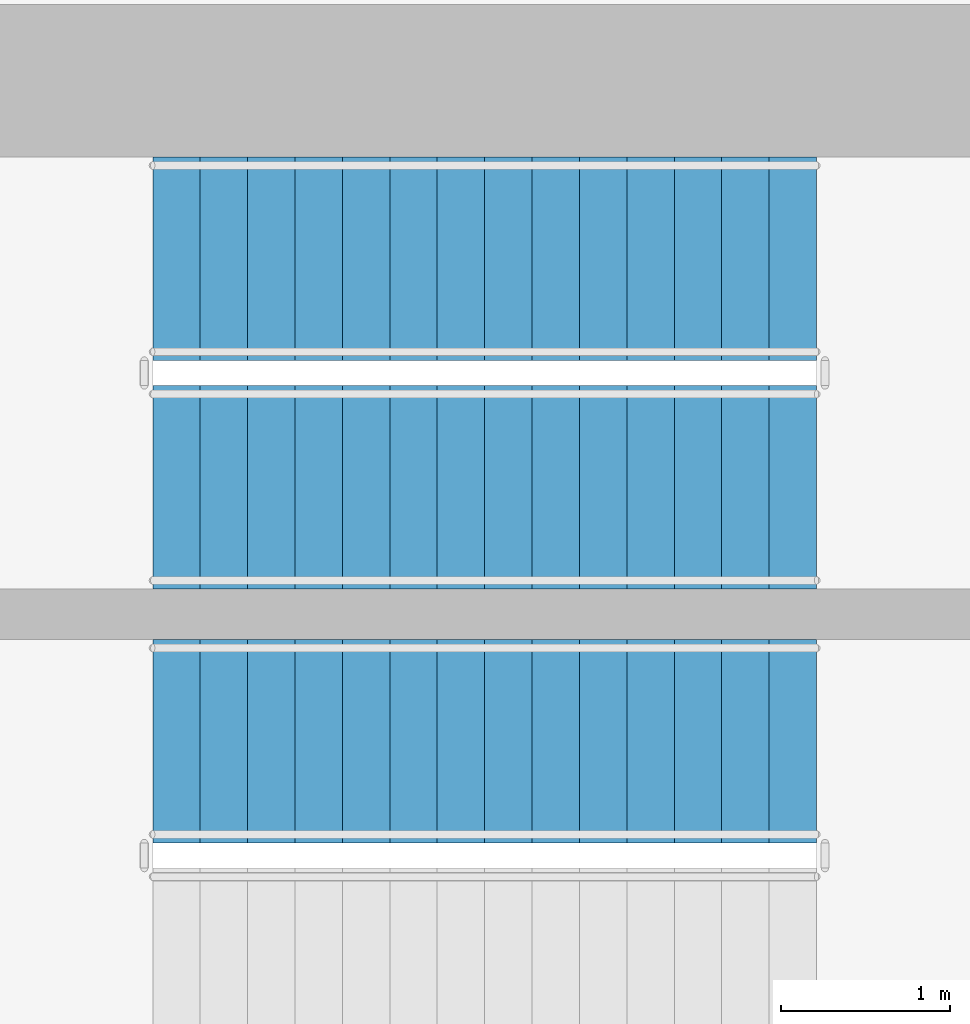
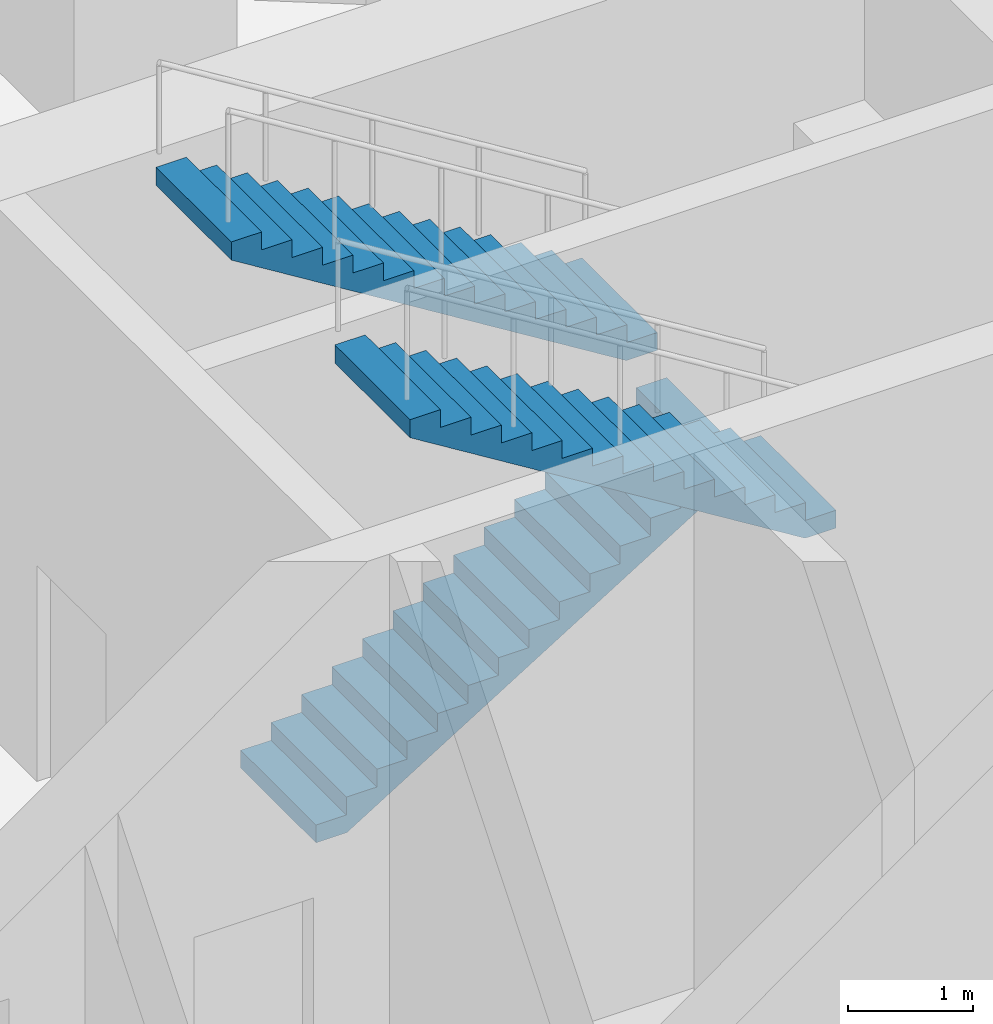
# One storey, part 14 of 18: 3 stair flights, 2 elements without a shape of their own.
"""IFC4 building model written with IfcOpenShell, lengths in metres."""

from ifc_helpers import new_model, si_unit, direction, frame, origin, place, context, subcontext, project, spatial, polyline, outline, extrude, material, type_object, element, aggregate, save


model = new_model("IFC4")

# Units and contexts
model_context = context("Model", 3, precision=1e-05, world=origin(), true_north=direction((0.0, 1.0)))
body_context = subcontext(model_context, "Body", "Model", "MODEL_VIEW")
ifc_project = project(units=[si_unit("LENGTHUNIT", "METRE"), si_unit("AREAUNIT", "SQUARE_METRE"), si_unit("VOLUMEUNIT", "CUBIC_METRE"), si_unit("PLANEANGLEUNIT", "RADIAN"), si_unit("MASSUNIT", "GRAM", prefix="KILO")], contexts=[model_context])

# Site, building, storey
site_placement = place(None, origin())
site = spatial("IfcSite", under=ifc_project, at=site_placement, CompositionType="ELEMENT")
building_placement = place(site_placement, origin())
building = spatial("IfcBuilding", under=site, at=building_placement, Name="Ostrand Prow Hotel Tower", CompositionType="ELEMENT")
storey_placement = place(building_placement, frame((0.0, 0.0, 165.699951171875)))
storey = spatial("IfcBuildingStorey", under=building, at=storey_placement, Name="L41", CompositionType="ELEMENT", Elevation=165.699951171875)

# Stair, stair flight
ifc_material_1 = material(Name="Concrete C40/50", Category="concrete")
stair_type = type_object("IfcStairType", Name="Exit stair 1200 upper zone", PredefinedType="HALF_TURN_STAIR", material=ifc_material_1)
stair_1_placement = place(storey_placement, origin())
stair_1 = element("IfcStair", 1, at=stair_1_placement, inside=storey, type_object=stair_type, Name="L41 ST1C", PredefinedType="HALF_TURN_STAIR")
ifc_material_2 = material(Name="Concrete C40/50", Category="concrete")
stair_flight_type = type_object("IfcStairFlightType", Name="Stair flight 1200 concrete", PredefinedType="STRAIGHT", material=ifc_material_2)
stair_flight_1_placement = place(storey_placement, frame((61.1201171875, 12.300048828125, 2.60009765625), z_axis=(0.0, 0.0, 1.0), x_axis=(-1.0, 0.0, 0.0)))
stair_flight_1 = element("IfcStairFlight", 2, at=stair_flight_1_placement, type_object=stair_flight_type, Name="ST1C flight 2", NumberOfRisers=15, NumberOfTreads=14, PredefinedType="STRAIGHT", RiserHeight=0.173333333, TreadLength=0.28, context=body_context, shape_type="SweptSolid", body=[
    extrude(outline(polyline([(0.0, 0.0), (0.0, 0.17333984375), (0.280029296875, 0.17333984375), (0.280029296875, 0.3466796875), (0.56005859375, 0.3466796875), (0.56005859375, 0.52001953125), (0.840087890625, 0.52001953125), (0.840087890625, 0.693359375), (1.1201171875, 0.693359375), (1.1201171875, 0.86669921875), (1.39990234375, 0.86669921875), (1.39990234375, 1.0400390625), (1.679931640625, 1.0400390625), (1.679931640625, 1.21337890625), (1.9599609375, 1.21337890625), (1.9599609375, 1.38671875), (2.239990234375, 1.38671875), (2.239990234375, 1.56005859375), (2.52001953125, 1.56005859375), (2.52001953125, 1.7333984375), (2.800048828125, 1.7333984375), (2.800048828125, 1.90673828125), (3.080078125, 1.90673828125), (3.080078125, 2.080078125), (3.360107421875, 2.080078125), (3.360107421875, 2.25341796875), (3.639892578125, 2.25341796875), (3.639892578125, 2.4267578125), (3.919921875, 2.4267578125), (3.919921875, 2.60009765625), (3.919921875, 2.250244140625), (0.284912109375, 0.0), (0.0, 0.0)])), frame((0.0, 0.60009765625, 0.0), z_axis=(0.0, -1.0, 0.0), x_axis=(1.0, 0.0, 0.0)), (0.0, 0.0, 1.0), 1.199951171875),
])
aggregate(stair_1, [stair_flight_1])

# Stair, stair flights
stair_2_placement = place(storey_placement, origin())
stair_2 = element("IfcStair", 3, at=stair_2_placement, inside=storey, type_object=stair_type, Name="L41 ST3C", PredefinedType="HALF_TURN_STAIR")
stair_flight_2_placement = place(storey_placement, frame((57.199951171875, 13.800048828125, 0.0), z_axis=(0.0, 0.0, 1.0), x_axis=(1.0, 0.0, 0.0)))
stair_flight_2 = element("IfcStairFlight", 4, at=stair_flight_2_placement, type_object=stair_flight_type, Name="ST3C flight 1", NumberOfRisers=15, NumberOfTreads=14, PredefinedType="STRAIGHT", RiserHeight=0.173333333, TreadLength=0.28, context=body_context, shape_type="SweptSolid", body=[
    extrude(outline(polyline([(0.0, 0.0), (0.0, 0.17333984375), (0.280029296875, 0.17333984375), (0.280029296875, 0.3466796875), (0.56005859375, 0.3466796875), (0.56005859375, 0.52001953125), (0.840087890625, 0.52001953125), (0.840087890625, 0.693359375), (1.1201171875, 0.693359375), (1.1201171875, 0.86669921875), (1.39990234375, 0.86669921875), (1.39990234375, 1.0400390625), (1.679931640625, 1.0400390625), (1.679931640625, 1.21337890625), (1.9599609375, 1.21337890625), (1.9599609375, 1.38671875), (2.239990234375, 1.38671875), (2.239990234375, 1.56005859375), (2.52001953125, 1.56005859375), (2.52001953125, 1.7333984375), (2.800048828125, 1.7333984375), (2.800048828125, 1.90673828125), (3.080078125, 1.90673828125), (3.080078125, 2.080078125), (3.360107421875, 2.080078125), (3.360107421875, 2.25341796875), (3.639892578125, 2.25341796875), (3.639892578125, 2.4267578125), (3.919921875, 2.4267578125), (3.919921875, 2.60009765625), (3.919921875, 2.250244140625), (0.284912109375, 0.0), (0.0, 0.0)])), frame((0.0, 0.60009765625, 0.0), z_axis=(0.0, -1.0, 0.0), x_axis=(1.0, 0.0, 0.0)), (0.0, 0.0, 1.0), 1.199951171875),
])
stair_flight_3_placement = place(storey_placement, frame((61.1201171875, 15.14990234375, 2.60009765625), z_axis=(0.0, 0.0, 1.0), x_axis=(-1.0, 0.0, 0.0)))
stair_flight_3 = element("IfcStairFlight", 5, at=stair_flight_3_placement, type_object=stair_flight_type, Name="ST3C flight 2", NumberOfRisers=15, NumberOfTreads=14, PredefinedType="STRAIGHT", RiserHeight=0.173333333, TreadLength=0.28, context=body_context, shape_type="SweptSolid", body=[
    extrude(outline(polyline([(0.0, 0.0), (0.0, 0.17333984375), (0.280029296875, 0.17333984375), (0.280029296875, 0.3466796875), (0.56005859375, 0.3466796875), (0.56005859375, 0.52001953125), (0.840087890625, 0.52001953125), (0.840087890625, 0.693359375), (1.1201171875, 0.693359375), (1.1201171875, 0.86669921875), (1.39990234375, 0.86669921875), (1.39990234375, 1.0400390625), (1.679931640625, 1.0400390625), (1.679931640625, 1.21337890625), (1.9599609375, 1.21337890625), (1.9599609375, 1.38671875), (2.239990234375, 1.38671875), (2.239990234375, 1.56005859375), (2.52001953125, 1.56005859375), (2.52001953125, 1.7333984375), (2.800048828125, 1.7333984375), (2.800048828125, 1.90673828125), (3.080078125, 1.90673828125), (3.080078125, 2.080078125), (3.360107421875, 2.080078125), (3.360107421875, 2.25341796875), (3.639892578125, 2.25341796875), (3.639892578125, 2.4267578125), (3.919921875, 2.4267578125), (3.919921875, 2.60009765625), (3.919921875, 2.250244140625), (0.284912109375, 0.0), (0.0, 0.0)])), frame((0.0, 0.60009765625, 0.0), z_axis=(0.0, -1.0, 0.0), x_axis=(1.0, 0.0, 0.0)), (0.0, 0.0, 1.0), 1.199951171875),
])
aggregate(stair_2, [stair_flight_2, stair_flight_3])

save(model, "model.ifc")
